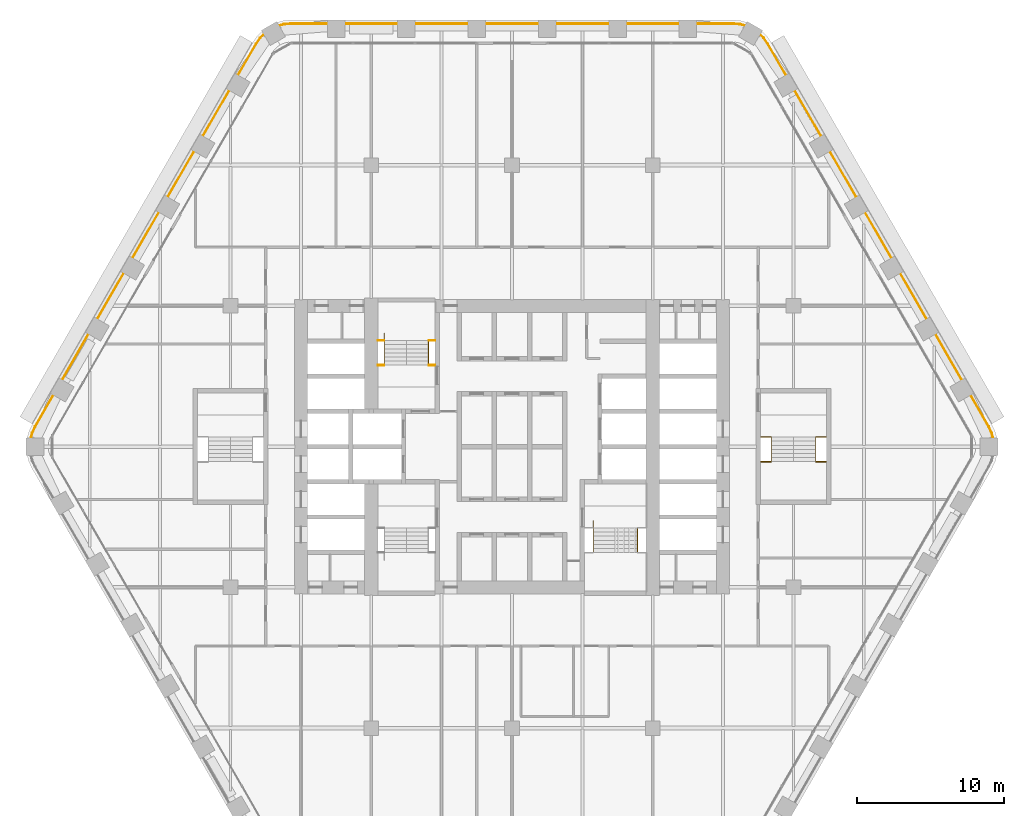
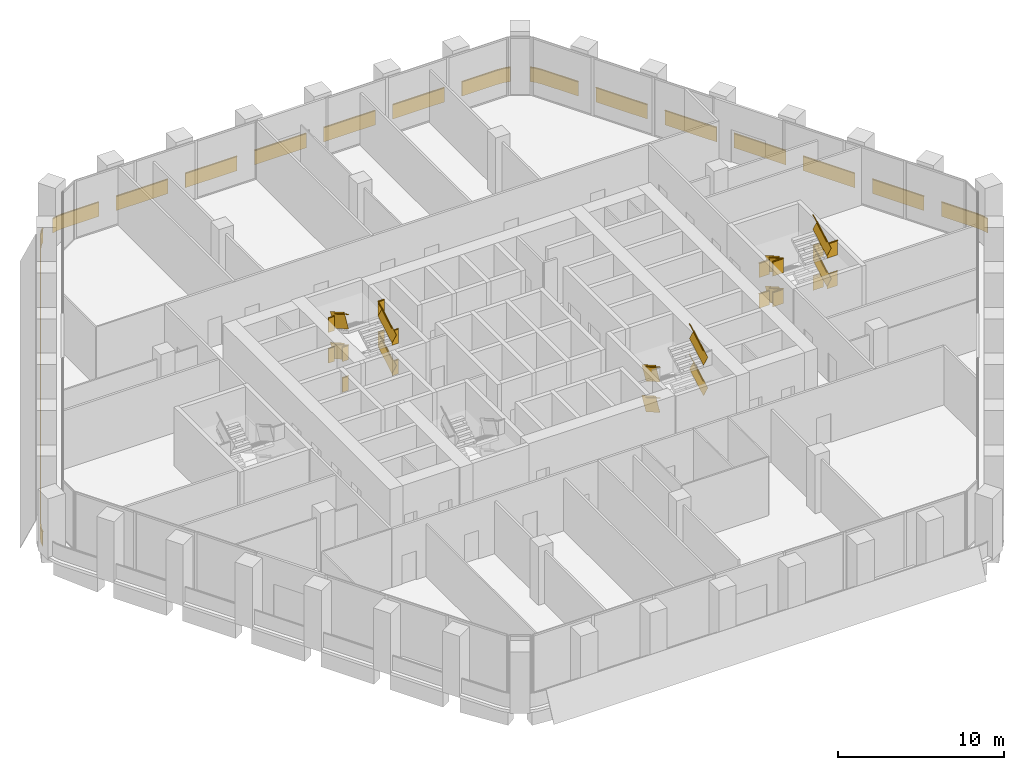
# One storey, part 23 of 23: 8 railings.
"""IFC4 building model written with IfcOpenShell, lengths in metres."""

from ifc_helpers import new_model, si_unit, direction, frame, frame_2d, origin, origin_2d, place, context, subcontext, project, spatial, rectangle, extrude, material, type_object, element, save


model = new_model("IFC4")

# Units and contexts
model_context = context("Model", 3, precision=1e-05, world=origin(), true_north=direction((0.0, 1.0)))
body_context = subcontext(model_context, "Body", "Model", "MODEL_VIEW")
ifc_project = project(units=[si_unit("LENGTHUNIT", "METRE"), si_unit("AREAUNIT", "SQUARE_METRE"), si_unit("VOLUMEUNIT", "CUBIC_METRE"), si_unit("PLANEANGLEUNIT", "RADIAN"), si_unit("MASSUNIT", "GRAM", prefix="KILO")], contexts=[model_context])

# Site, building, storey
site_placement = place(None, origin())
site = spatial("IfcSite", under=ifc_project, at=site_placement, CompositionType="ELEMENT")
building_placement = place(site_placement, origin())
building = spatial("IfcBuilding", under=site, at=building_placement, Name="Kolab Exchange Tower", CompositionType="ELEMENT")
storey_placement = place(building_placement, frame((0.0, 0.0, 100.39990234375)))
storey = spatial("IfcBuildingStorey", under=building, at=storey_placement, Name="L19", CompositionType="ELEMENT", Elevation=100.39990234375)

# Railings
ifc_material_1 = material(Name="Stainless steel 316", Category="steel")
railing_type_1 = type_object("IfcRailingType", Name="GUARD 1100", PredefinedType="GUARDRAIL", material=ifc_material_1)
railing_1_placement = place(storey_placement, frame((-9.14990234375, 5.550048828125, 0.0)))
element("IfcRailing", 1, at=railing_1_placement, inside=storey, type_object=railing_type_1, Name="Guard ST1", PredefinedType="GUARDRAIL", context=body_context, shape_type="SweptSolid", body=[
    extrude(rectangle(XDim=0.05, YDim=0.05, at=origin_2d()), frame((0.0, 0.0, 1.0751953125), z_axis=(1.0, 0.0, 0.0), x_axis=(0.0, 1.0, 0.0)), (0.0, 0.0, 1.0), 0.43994140625),
    extrude(rectangle(XDim=0.012, YDim=1.05009765625, at=frame_2d((0.0, 0.525146484375))), frame((0.0, 0.0, 0.0), z_axis=(1.0, 0.0, 0.0), x_axis=(0.0, 1.0, 0.0)), (0.0, 0.0, 1.0), 0.43994140625),
    extrude(rectangle(XDim=0.05, YDim=0.05, at=origin_2d()), frame((3.4599609375, 0.0, 1.0751953125), z_axis=(1.0, 0.0, 0.0), x_axis=(0.0, 1.0, 0.0)), (0.0, 0.0, 1.0), 0.43994140625),
    extrude(rectangle(XDim=0.012, YDim=1.05009765625, at=frame_2d((0.0, 0.525146484375))), frame((3.4599609375, 0.0, 0.0), z_axis=(1.0, 0.0, 0.0), x_axis=(0.0, 1.0, 0.0)), (0.0, 0.0, 1.0), 0.43994140625),
    extrude(rectangle(XDim=0.05, YDim=0.05, at=origin_2d()), frame((0.0, 1.679931640625, 2.2001953125), z_axis=(1.0, 0.0, 0.0), x_axis=(0.0, 1.0, 0.0)), (0.0, 0.0, 1.0), 0.43994140625),
    extrude(rectangle(XDim=0.012, YDim=1.05009765625, at=frame_2d((0.0, 0.525146484375))), frame((0.0, 1.679931640625, 1.125), z_axis=(1.0, 0.0, 0.0), x_axis=(0.0, 1.0, 0.0)), (0.0, 0.0, 1.0), 0.43994140625),
    extrude(rectangle(XDim=0.05, YDim=0.05, at=origin_2d()), frame((3.4599609375, 1.679931640625, 2.2001953125), z_axis=(1.0, 0.0, 0.0), x_axis=(0.0, 1.0, 0.0)), (0.0, 0.0, 1.0), 0.43994140625),
    extrude(rectangle(XDim=0.012, YDim=1.05009765625, at=frame_2d((0.0, 0.525146484375))), frame((3.4599609375, 1.679931640625, 1.125), z_axis=(1.0, 0.0, 0.0), x_axis=(0.0, 1.0, 0.0)), (0.0, 0.0, 1.0), 0.43994140625),
    extrude(rectangle(XDim=0.05, YDim=0.05, at=origin_2d()), frame((0.0, 0.0, 3.3251953125), z_axis=(1.0, 0.0, 0.0), x_axis=(0.0, 1.0, 0.0)), (0.0, 0.0, 1.0), 0.43994140625),
    extrude(rectangle(XDim=0.012, YDim=1.05009765625, at=frame_2d((0.0, 0.525146484375))), frame((0.0, 0.0, 2.25), z_axis=(1.0, 0.0, 0.0), x_axis=(0.0, 1.0, 0.0)), (0.0, 0.0, 1.0), 0.43994140625),
    extrude(rectangle(XDim=0.05, YDim=0.05, at=origin_2d()), frame((3.4599609375, 0.0, 3.3251953125), z_axis=(1.0, 0.0, 0.0), x_axis=(0.0, 1.0, 0.0)), (0.0, 0.0, 1.0), 0.43994140625),
    extrude(rectangle(XDim=0.012, YDim=1.05009765625, at=frame_2d((0.0, 0.525146484375))), frame((3.4599609375, 0.0, 2.25), z_axis=(1.0, 0.0, 0.0), x_axis=(0.0, 1.0, 0.0)), (0.0, 0.0, 1.0), 0.43994140625),
    extrude(rectangle(XDim=0.05, YDim=0.05, at=origin_2d()), frame((0.0, 1.679931640625, 4.4501953125), z_axis=(1.0, 0.0, 0.0), x_axis=(0.0, 1.0, 0.0)), (0.0, 0.0, 1.0), 0.43994140625),
    extrude(rectangle(XDim=0.012, YDim=1.05009765625, at=frame_2d((0.0, 0.525146484375))), frame((0.0, 1.679931640625, 3.375), z_axis=(1.0, 0.0, 0.0), x_axis=(0.0, 1.0, 0.0)), (0.0, 0.0, 1.0), 0.43994140625),
    extrude(rectangle(XDim=0.05, YDim=0.05, at=origin_2d()), frame((3.4599609375, 1.679931640625, 4.4501953125), z_axis=(1.0, 0.0, 0.0), x_axis=(0.0, 1.0, 0.0)), (0.0, 0.0, 1.0), 0.43994140625),
    extrude(rectangle(XDim=0.012, YDim=1.05009765625, at=frame_2d((0.0, 0.525146484375))), frame((3.4599609375, 1.679931640625, 3.375), z_axis=(1.0, 0.0, 0.0), x_axis=(0.0, 1.0, 0.0)), (0.0, 0.0, 1.0), 0.43994140625),
])
railing_2_placement = place(storey_placement, frame((-5.68994140625, 5.550048828125, 0.160888671875)))
element("IfcRailing", 2, at=railing_2_placement, inside=storey, type_object=railing_type_1, Name="Handrail guard ST1", PredefinedType="GUARDRAIL", context=body_context, shape_type="SweptSolid", body=[
    extrude(rectangle(XDim=0.05, YDim=0.05, at=origin_2d()), frame((0.0, 0.0, 1.0751953125), z_axis=(0.0, 0.867318599139, 0.497753400378), x_axis=(-1.0, 0.0, 0.0)), (0.0, 0.0, 1.0), 1.93701171875),
    extrude(rectangle(XDim=0.012, YDim=1.05009765625, at=frame_2d((0.0, 0.525146484375))), frame((0.0, 0.0, 0.0), z_axis=(0.0, 0.867318599139, 0.497753400378), x_axis=(-1.0, 0.0, 0.0)), (0.0, 0.0, 1.0), 1.93701171875),
    extrude(rectangle(XDim=0.05, YDim=0.05, at=origin_2d()), frame((-3.02001953125, 1.679931640625, 2.2001953125), z_axis=(0.0, -0.867318599139, 0.497753400378), x_axis=(1.0, 0.0, 0.0)), (0.0, 0.0, 1.0), 1.93701171875),
    extrude(rectangle(XDim=0.012, YDim=1.05009765625, at=frame_2d((0.0, 0.525146484375))), frame((-3.02001953125, 1.679931640625, 1.125), z_axis=(0.0, -0.867318599139, 0.497753400378), x_axis=(1.0, 0.0, 0.0)), (0.0, 0.0, 1.0), 1.93701171875),
    extrude(rectangle(XDim=0.05, YDim=0.05, at=origin_2d()), frame((0.0, 0.0, 3.3251953125), z_axis=(0.0, 0.867318599139, 0.497753400378), x_axis=(-1.0, 0.0, 0.0)), (0.0, 0.0, 1.0), 1.93701171875),
    extrude(rectangle(XDim=0.012, YDim=1.05009765625, at=frame_2d((0.0, 0.525146484375))), frame((0.0, 0.0, 2.25), z_axis=(0.0, 0.867318599139, 0.497753400378), x_axis=(-1.0, 0.0, 0.0)), (0.0, 0.0, 1.0), 1.93701171875),
    extrude(rectangle(XDim=0.05, YDim=0.05, at=origin_2d()), frame((-3.02001953125, 1.679931640625, 4.4501953125), z_axis=(0.0, -0.867318599139, 0.497753400378), x_axis=(1.0, 0.0, 0.0)), (0.0, 0.0, 1.0), 1.93701171875),
    extrude(rectangle(XDim=0.012, YDim=1.05009765625, at=frame_2d((0.0, 0.525146484375))), frame((-3.02001953125, 1.679931640625, 3.375), z_axis=(0.0, -0.867318599139, 0.497753400378), x_axis=(1.0, 0.0, 0.0)), (0.0, 0.0, 1.0), 1.93701171875),
])
railing_3_placement = place(storey_placement, frame((5.5400390625, -5.550048828125, 0.160888671875)))
element("IfcRailing", 3, at=railing_3_placement, inside=storey, type_object=railing_type_1, Name="Handrail guard ST2", PredefinedType="GUARDRAIL", context=body_context, shape_type="SweptSolid", body=[
    extrude(rectangle(XDim=0.05, YDim=0.05, at=origin_2d()), frame((0.0, 0.0, 1.0751953125), z_axis=(0.0, -0.867318599139, 0.497753400378), x_axis=(1.0, 0.0, 0.0)), (0.0, 0.0, 1.0), 1.93701171875),
    extrude(rectangle(XDim=0.012, YDim=1.05009765625, at=frame_2d((0.0, 0.525146484375))), frame((0.0, 0.0, 0.0), z_axis=(0.0, -0.867318599139, 0.497753400378), x_axis=(1.0, 0.0, 0.0)), (0.0, 0.0, 1.0), 1.93701171875),
    extrude(rectangle(XDim=0.05, YDim=0.05, at=origin_2d()), frame((3.02001953125, -1.679931640625, 2.2001953125), z_axis=(0.0, 0.867318599139, 0.497753400378), x_axis=(-1.0, 0.0, 0.0)), (0.0, 0.0, 1.0), 1.93701171875),
    extrude(rectangle(XDim=0.012, YDim=1.05009765625, at=frame_2d((0.0, 0.525146484375))), frame((3.02001953125, -1.679931640625, 1.125), z_axis=(0.0, 0.867318599139, 0.497753400378), x_axis=(-1.0, 0.0, 0.0)), (0.0, 0.0, 1.0), 1.93701171875),
    extrude(rectangle(XDim=0.05, YDim=0.05, at=origin_2d()), frame((0.0, 0.0, 3.3251953125), z_axis=(0.0, -0.867318599139, 0.497753400378), x_axis=(1.0, 0.0, 0.0)), (0.0, 0.0, 1.0), 1.93701171875),
    extrude(rectangle(XDim=0.012, YDim=1.05009765625, at=frame_2d((0.0, 0.525146484375))), frame((0.0, 0.0, 2.25), z_axis=(0.0, -0.867318599139, 0.497753400378), x_axis=(1.0, 0.0, 0.0)), (0.0, 0.0, 1.0), 1.93701171875),
    extrude(rectangle(XDim=0.05, YDim=0.05, at=origin_2d()), frame((3.02001953125, -1.679931640625, 4.4501953125), z_axis=(0.0, 0.867318599139, 0.497753400378), x_axis=(-1.0, 0.0, 0.0)), (0.0, 0.0, 1.0), 1.93701171875),
    extrude(rectangle(XDim=0.012, YDim=1.05009765625, at=frame_2d((0.0, 0.525146484375))), frame((3.02001953125, -1.679931640625, 3.375), z_axis=(0.0, 0.867318599139, 0.497753400378), x_axis=(-1.0, 0.0, 0.0)), (0.0, 0.0, 1.0), 1.93701171875),
])
railing_4_placement = place(storey_placement, frame((16.949951171875, 0.64990234375, 0.0)))
element("IfcRailing", 4, at=railing_4_placement, inside=storey, type_object=railing_type_1, Name="Guard ST4", PredefinedType="GUARDRAIL", context=body_context, shape_type="SweptSolid", body=[
    extrude(rectangle(XDim=0.05, YDim=0.05, at=origin_2d()), frame((0.0, 0.0, 1.0751953125), z_axis=(1.0, 0.0, 0.0), x_axis=(0.0, 1.0, 0.0)), (0.0, 0.0, 1.0), 0.739990234375),
    extrude(rectangle(XDim=0.012, YDim=1.05009765625, at=frame_2d((0.0, 0.525146484375))), frame((0.0, 0.0, 0.0), z_axis=(1.0, 0.0, 0.0), x_axis=(0.0, 1.0, 0.0)), (0.0, 0.0, 1.0), 0.739990234375),
    extrude(rectangle(XDim=0.05, YDim=0.05, at=origin_2d()), frame((3.760009765625, 0.0, 1.0751953125), z_axis=(1.0, 0.0, 0.0), x_axis=(0.0, 1.0, 0.0)), (0.0, 0.0, 1.0), 0.739990234375),
    extrude(rectangle(XDim=0.012, YDim=1.05009765625, at=frame_2d((0.0, 0.525146484375))), frame((3.760009765625, 0.0, 0.0), z_axis=(1.0, 0.0, 0.0), x_axis=(0.0, 1.0, 0.0)), (0.0, 0.0, 1.0), 0.739990234375),
    extrude(rectangle(XDim=0.05, YDim=0.05, at=origin_2d()), frame((0.0, -1.679931640625, 2.2001953125), z_axis=(1.0, 0.0, 0.0), x_axis=(0.0, 1.0, 0.0)), (0.0, 0.0, 1.0), 0.739990234375),
    extrude(rectangle(XDim=0.012, YDim=1.05009765625, at=frame_2d((0.0, 0.525146484375))), frame((0.0, -1.679931640625, 1.125), z_axis=(1.0, 0.0, 0.0), x_axis=(0.0, 1.0, 0.0)), (0.0, 0.0, 1.0), 0.739990234375),
    extrude(rectangle(XDim=0.05, YDim=0.05, at=origin_2d()), frame((3.760009765625, -1.679931640625, 2.2001953125), z_axis=(1.0, 0.0, 0.0), x_axis=(0.0, 1.0, 0.0)), (0.0, 0.0, 1.0), 0.739990234375),
    extrude(rectangle(XDim=0.012, YDim=1.05009765625, at=frame_2d((0.0, 0.525146484375))), frame((3.760009765625, -1.679931640625, 1.125), z_axis=(1.0, 0.0, 0.0), x_axis=(0.0, 1.0, 0.0)), (0.0, 0.0, 1.0), 0.739990234375),
    extrude(rectangle(XDim=0.05, YDim=0.05, at=origin_2d()), frame((0.0, 0.0, 3.3251953125), z_axis=(1.0, 0.0, 0.0), x_axis=(0.0, 1.0, 0.0)), (0.0, 0.0, 1.0), 0.739990234375),
    extrude(rectangle(XDim=0.012, YDim=1.05009765625, at=frame_2d((0.0, 0.525146484375))), frame((0.0, 0.0, 2.25), z_axis=(1.0, 0.0, 0.0), x_axis=(0.0, 1.0, 0.0)), (0.0, 0.0, 1.0), 0.739990234375),
    extrude(rectangle(XDim=0.05, YDim=0.05, at=origin_2d()), frame((3.760009765625, 0.0, 3.3251953125), z_axis=(1.0, 0.0, 0.0), x_axis=(0.0, 1.0, 0.0)), (0.0, 0.0, 1.0), 0.739990234375),
    extrude(rectangle(XDim=0.012, YDim=1.05009765625, at=frame_2d((0.0, 0.525146484375))), frame((3.760009765625, 0.0, 2.25), z_axis=(1.0, 0.0, 0.0), x_axis=(0.0, 1.0, 0.0)), (0.0, 0.0, 1.0), 0.739990234375),
    extrude(rectangle(XDim=0.05, YDim=0.05, at=origin_2d()), frame((0.0, -1.679931640625, 4.4501953125), z_axis=(1.0, 0.0, 0.0), x_axis=(0.0, 1.0, 0.0)), (0.0, 0.0, 1.0), 0.739990234375),
    extrude(rectangle(XDim=0.012, YDim=1.05009765625, at=frame_2d((0.0, 0.525146484375))), frame((0.0, -1.679931640625, 3.375), z_axis=(1.0, 0.0, 0.0), x_axis=(0.0, 1.0, 0.0)), (0.0, 0.0, 1.0), 0.739990234375),
    extrude(rectangle(XDim=0.05, YDim=0.05, at=origin_2d()), frame((3.760009765625, -1.679931640625, 4.4501953125), z_axis=(1.0, 0.0, 0.0), x_axis=(0.0, 1.0, 0.0)), (0.0, 0.0, 1.0), 0.739990234375),
    extrude(rectangle(XDim=0.012, YDim=1.05009765625, at=frame_2d((0.0, 0.525146484375))), frame((3.760009765625, -1.679931640625, 3.375), z_axis=(1.0, 0.0, 0.0), x_axis=(0.0, 1.0, 0.0)), (0.0, 0.0, 1.0), 0.739990234375),
])
railing_5_placement = place(storey_placement, frame((17.68994140625, 0.64990234375, 0.160888671875)))
element("IfcRailing", 5, at=railing_5_placement, inside=storey, type_object=railing_type_1, Name="Handrail guard ST4", PredefinedType="GUARDRAIL", context=body_context, shape_type="SweptSolid", body=[
    extrude(rectangle(XDim=0.05, YDim=0.05, at=origin_2d()), frame((0.0, 0.0, 1.0751953125), z_axis=(0.0, -0.867318599139, 0.497753400378), x_axis=(1.0, 0.0, 0.0)), (0.0, 0.0, 1.0), 1.93701171875),
    extrude(rectangle(XDim=0.012, YDim=1.05009765625, at=frame_2d((0.0, 0.525146484375))), frame((0.0, 0.0, 0.0), z_axis=(0.0, -0.867318599139, 0.497753400378), x_axis=(1.0, 0.0, 0.0)), (0.0, 0.0, 1.0), 1.93701171875),
    extrude(rectangle(XDim=0.05, YDim=0.05, at=origin_2d()), frame((3.02001953125, -1.679931640625, 2.2001953125), z_axis=(0.0, 0.867318599139, 0.497753400378), x_axis=(-1.0, 0.0, 0.0)), (0.0, 0.0, 1.0), 1.93701171875),
    extrude(rectangle(XDim=0.012, YDim=1.05009765625, at=frame_2d((0.0, 0.525146484375))), frame((3.02001953125, -1.679931640625, 1.125), z_axis=(0.0, 0.867318599139, 0.497753400378), x_axis=(-1.0, 0.0, 0.0)), (0.0, 0.0, 1.0), 1.93701171875),
    extrude(rectangle(XDim=0.05, YDim=0.05, at=origin_2d()), frame((0.0, 0.0, 3.3251953125), z_axis=(0.0, -0.867318599139, 0.497753400378), x_axis=(1.0, 0.0, 0.0)), (0.0, 0.0, 1.0), 1.93701171875),
    extrude(rectangle(XDim=0.012, YDim=1.05009765625, at=frame_2d((0.0, 0.525146484375))), frame((0.0, 0.0, 2.25), z_axis=(0.0, -0.867318599139, 0.497753400378), x_axis=(1.0, 0.0, 0.0)), (0.0, 0.0, 1.0), 1.93701171875),
    extrude(rectangle(XDim=0.05, YDim=0.05, at=origin_2d()), frame((3.02001953125, -1.679931640625, 4.4501953125), z_axis=(0.0, 0.867318599139, 0.497753400378), x_axis=(-1.0, 0.0, 0.0)), (0.0, 0.0, 1.0), 1.93701171875),
    extrude(rectangle(XDim=0.012, YDim=1.05009765625, at=frame_2d((0.0, 0.525146484375))), frame((3.02001953125, -1.679931640625, 3.375), z_axis=(0.0, 0.867318599139, 0.497753400378), x_axis=(-1.0, 0.0, 0.0)), (0.0, 0.0, 1.0), 1.93701171875),
])
ifc_material_2 = material(Name="Steel S235", Category="steel")
railing_type_2 = type_object("IfcRailingType", Name="GUARD 1100 GLASS BALUSTRADE AND STEEL TOP RAIL", PredefinedType="GUARDRAIL", material=ifc_material_2)
railing_6_placement = place(storey_placement, frame((15.89208984375, 28.7138671875, 0.0)))
element("IfcRailing", 6, at=railing_6_placement, inside=storey, type_object=railing_type_2, Name="Guard", PredefinedType="GUARDRAIL", context=body_context, shape_type="SweptSolid", body=[
    extrude(rectangle(XDim=0.05, YDim=0.05, at=origin_2d()), frame((0.0, 0.0, 1.0751953125), z_axis=(-0.966008746817, 0.258509382951, 0.0), x_axis=(-0.258509382951, -0.966008746817, 0.0)), (0.0, 0.0, 1.0), 0.35888671875),
    extrude(rectangle(XDim=0.012, YDim=1.05009765625, at=frame_2d((0.0, 0.525146484375))), frame((0.0, 0.0, 0.0), z_axis=(-0.966008746817, 0.258509382951, 0.0), x_axis=(-0.258509382951, -0.966008746817, 0.0)), (0.0, 0.0, 1.0), 0.35888671875),
    extrude(rectangle(XDim=0.05, YDim=0.05, at=origin_2d()), frame((-0.3466796875, 0.0927734375, 1.0751953125), z_axis=(-0.996200348447, 0.087091134757, 0.0), x_axis=(-0.087091134757, -0.996200348447, 0.0)), (0.0, 0.0, 1.0), 0.479248046875),
    extrude(rectangle(XDim=0.012, YDim=1.05009765625, at=frame_2d((0.0, 0.525146484375))), frame((-0.3466796875, 0.0927734375, 0.0), z_axis=(-0.996200348447, 0.087091134757, 0.0), x_axis=(-0.087091134757, -0.996200348447, 0.0)), (0.0, 0.0, 1.0), 0.479248046875),
    extrude(rectangle(XDim=0.05, YDim=0.05, at=origin_2d()), frame((-0.82421875, 0.134521484375, 1.0751953125), z_axis=(-1.0, 0.0, 0.0), x_axis=(0.0, -1.0, 0.0)), (0.0, 0.0, 1.0), 2.4677734375),
    extrude(rectangle(XDim=0.012, YDim=1.05009765625, at=frame_2d((0.0, 0.525146484375))), frame((-0.82421875, 0.134521484375, 0.0), z_axis=(-1.0, 0.0, 0.0), x_axis=(0.0, -1.0, 0.0)), (0.0, 0.0, 1.0), 2.4677734375),
    extrude(rectangle(XDim=0.05, YDim=0.05, at=origin_2d()), frame((-4.4921875, 0.134521484375, 1.0751953125), z_axis=(-1.0, 0.0, 0.0), x_axis=(0.0, -1.0, 0.0)), (0.0, 0.0, 1.0), 3.599853515625),
    extrude(rectangle(XDim=0.012, YDim=1.05009765625, at=frame_2d((0.0, 0.525146484375))), frame((-4.4921875, 0.134521484375, 0.0), z_axis=(-1.0, 0.0, 0.0), x_axis=(0.0, -1.0, 0.0)), (0.0, 0.0, 1.0), 3.599853515625),
    extrude(rectangle(XDim=0.05, YDim=0.05, at=origin_2d()), frame((-9.2919921875, 0.134521484375, 1.0751953125), z_axis=(-1.0, 0.0, 0.0), x_axis=(0.0, -1.0, 0.0)), (0.0, 0.0, 1.0), 3.60009765625),
    extrude(rectangle(XDim=0.012, YDim=1.05009765625, at=frame_2d((0.0, 0.525146484375))), frame((-9.2919921875, 0.134521484375, 0.0), z_axis=(-1.0, 0.0, 0.0), x_axis=(0.0, -1.0, 0.0)), (0.0, 0.0, 1.0), 3.60009765625),
    extrude(rectangle(XDim=0.05, YDim=0.05, at=origin_2d()), frame((-14.092041015625, 0.134521484375, 1.0751953125), z_axis=(-1.0, 0.0, 0.0), x_axis=(0.0, -1.0, 0.0)), (0.0, 0.0, 1.0), 3.60009765625),
    extrude(rectangle(XDim=0.012, YDim=1.05009765625, at=frame_2d((0.0, 0.525146484375))), frame((-14.092041015625, 0.134521484375, 0.0), z_axis=(-1.0, 0.0, 0.0), x_axis=(0.0, -1.0, 0.0)), (0.0, 0.0, 1.0), 3.60009765625),
    extrude(rectangle(XDim=0.05, YDim=0.05, at=origin_2d()), frame((-18.89208984375, 0.134521484375, 1.0751953125), z_axis=(-1.0, 0.0, 0.0), x_axis=(0.0, -1.0, 0.0)), (0.0, 0.0, 1.0), 3.60009765625),
    extrude(rectangle(XDim=0.012, YDim=1.05009765625, at=frame_2d((0.0, 0.525146484375))), frame((-18.89208984375, 0.134521484375, 0.0), z_axis=(-1.0, 0.0, 0.0), x_axis=(0.0, -1.0, 0.0)), (0.0, 0.0, 1.0), 3.60009765625),
    extrude(rectangle(XDim=0.05, YDim=0.05, at=origin_2d()), frame((-23.692138671875, 0.134521484375, 1.0751953125), z_axis=(-1.0, 0.0, 0.0), x_axis=(0.0, -1.0, 0.0)), (0.0, 0.0, 1.0), 3.599853515625),
    extrude(rectangle(XDim=0.012, YDim=1.05009765625, at=frame_2d((0.0, 0.525146484375))), frame((-23.692138671875, 0.134521484375, 0.0), z_axis=(-1.0, 0.0, 0.0), x_axis=(0.0, -1.0, 0.0)), (0.0, 0.0, 1.0), 3.599853515625),
    extrude(rectangle(XDim=0.05, YDim=0.05, at=origin_2d()), frame((-28.4921875, 0.134521484375, 1.0751953125), z_axis=(-1.0, 0.0, 0.0), x_axis=(0.0, -1.0, 0.0)), (0.0, 0.0, 1.0), 2.4677734375),
    extrude(rectangle(XDim=0.012, YDim=1.05009765625, at=frame_2d((0.0, 0.525146484375))), frame((-28.4921875, 0.134521484375, 0.0), z_axis=(-1.0, 0.0, 0.0), x_axis=(0.0, -1.0, 0.0)), (0.0, 0.0, 1.0), 2.4677734375),
    extrude(rectangle(XDim=0.05, YDim=0.05, at=origin_2d()), frame((-30.9599609375, 0.134521484375, 1.0751953125), z_axis=(-0.996200348447, -0.087091134757, 0.0), x_axis=(0.087091134757, -0.996200348447, 0.0)), (0.0, 0.0, 1.0), 0.479248046875),
    extrude(rectangle(XDim=0.012, YDim=1.05009765625, at=frame_2d((0.0, 0.525146484375))), frame((-30.9599609375, 0.134521484375, 0.0), z_axis=(-0.996200348447, -0.087091134757, 0.0), x_axis=(0.087091134757, -0.996200348447, 0.0)), (0.0, 0.0, 1.0), 0.479248046875),
    extrude(rectangle(XDim=0.05, YDim=0.05, at=origin_2d()), frame((-31.4375, 0.0927734375, 1.0751953125), z_axis=(-0.966008746817, -0.258509382951, 0.0), x_axis=(0.258509382951, -0.966008746817, 0.0)), (0.0, 0.0, 1.0), 0.35888671875),
    extrude(rectangle(XDim=0.012, YDim=1.05009765625, at=frame_2d((0.0, 0.525146484375))), frame((-31.4375, 0.0927734375, 0.0), z_axis=(-0.966008746817, -0.258509382951, 0.0), x_axis=(0.258509382951, -0.966008746817, 0.0)), (0.0, 0.0, 1.0), 0.35888671875),
])
railing_7_placement = place(storey_placement, frame((32.81298828125, 0.593994140625, 0.0)))
element("IfcRailing", 7, at=railing_7_placement, inside=storey, type_object=railing_type_2, Name="Guard", PredefinedType="GUARDRAIL", context=body_context, shape_type="SweptSolid", body=[
    extrude(rectangle(XDim=0.05, YDim=0.05, at=origin_2d()), frame((0.0, 0.0, 1.0751953125), z_axis=(-0.259144041577, 0.965838685141, 0.0), x_axis=(-0.965838685141, -0.259144041577, 0.0)), (0.0, 0.0, 1.0), 0.35888671875),
    extrude(rectangle(XDim=0.012, YDim=1.05009765625, at=frame_2d((0.0, 0.525146484375))), frame((0.0, 0.0, 0.0), z_axis=(-0.259144041577, 0.965838685141, 0.0), x_axis=(-0.965838685141, -0.259144041577, 0.0)), (0.0, 0.0, 1.0), 0.35888671875),
    extrude(rectangle(XDim=0.05, YDim=0.05, at=origin_2d()), frame((-0.093017578125, 0.3466796875, 1.0751953125), z_axis=(-0.422383329074, 0.906417300872, 0.0), x_axis=(-0.906417300872, -0.422383329074, 0.0)), (0.0, 0.0, 1.0), 0.479248046875),
    extrude(rectangle(XDim=0.012, YDim=1.05009765625, at=frame_2d((0.0, 0.525146484375))), frame((-0.093017578125, 0.3466796875, 0.0), z_axis=(-0.422383329074, 0.906417300872, 0.0), x_axis=(-0.906417300872, -0.422383329074, 0.0)), (0.0, 0.0, 1.0), 0.479248046875),
    extrude(rectangle(XDim=0.05, YDim=0.05, at=origin_2d()), frame((-0.29541015625, 0.781005859375, 1.0751953125), z_axis=(-0.500064973171, 0.865987888257, 0.0), x_axis=(-0.865987888257, -0.500064973171, 0.0)), (0.0, 0.0, 1.0), 2.468017578125),
    extrude(rectangle(XDim=0.012, YDim=1.05009765625, at=frame_2d((0.0, 0.525146484375))), frame((-0.29541015625, 0.781005859375, 0.0), z_axis=(-0.500064973171, 0.865987888257, 0.0), x_axis=(-0.865987888257, -0.500064973171, 0.0)), (0.0, 0.0, 1.0), 2.468017578125),
    extrude(rectangle(XDim=0.05, YDim=0.05, at=origin_2d()), frame((-2.12939453125, 3.95751953125, 1.0751953125), z_axis=(-0.500012057535, 0.866018442252, 0.0), x_axis=(-0.866018442252, -0.500012057535, 0.0)), (0.0, 0.0, 1.0), 3.60009765625),
    extrude(rectangle(XDim=0.012, YDim=1.05009765625, at=frame_2d((0.0, 0.525146484375))), frame((-2.12939453125, 3.95751953125, 0.0), z_axis=(-0.500012057535, 0.866018442252, 0.0), x_axis=(-0.866018442252, -0.500012057535, 0.0)), (0.0, 0.0, 1.0), 3.60009765625),
    extrude(rectangle(XDim=0.05, YDim=0.05, at=origin_2d()), frame((-4.529541015625, 8.114501953125, 1.0751953125), z_axis=(-0.500012057535, 0.866018442252, 0.0), x_axis=(-0.866018442252, -0.500012057535, 0.0)), (0.0, 0.0, 1.0), 3.60009765625),
    extrude(rectangle(XDim=0.012, YDim=1.05009765625, at=frame_2d((0.0, 0.525146484375))), frame((-4.529541015625, 8.114501953125, 0.0), z_axis=(-0.500012057535, 0.866018442252, 0.0), x_axis=(-0.866018442252, -0.500012057535, 0.0)), (0.0, 0.0, 1.0), 3.60009765625),
    extrude(rectangle(XDim=0.05, YDim=0.05, at=origin_2d()), frame((-6.929443359375, 12.271484375, 1.0751953125), z_axis=(-0.500012057535, 0.866018442252, 0.0), x_axis=(-0.866018442252, -0.500012057535, 0.0)), (0.0, 0.0, 1.0), 3.60009765625),
    extrude(rectangle(XDim=0.012, YDim=1.05009765625, at=frame_2d((0.0, 0.525146484375))), frame((-6.929443359375, 12.271484375, 0.0), z_axis=(-0.500012057535, 0.866018442252, 0.0), x_axis=(-0.866018442252, -0.500012057535, 0.0)), (0.0, 0.0, 1.0), 3.60009765625),
    extrude(rectangle(XDim=0.05, YDim=0.05, at=origin_2d()), frame((-9.32958984375, 16.42822265625, 1.0751953125), z_axis=(-0.499961193289, 0.866047807691, 0.0), x_axis=(-0.866047807691, -0.499961193289, 0.0)), (0.0, 0.0, 1.0), 3.599853515625),
    extrude(rectangle(XDim=0.012, YDim=1.05009765625, at=frame_2d((0.0, 0.525146484375))), frame((-9.32958984375, 16.42822265625, 0.0), z_axis=(-0.499961193289, 0.866047807691, 0.0), x_axis=(-0.866047807691, -0.499961193289, 0.0)), (0.0, 0.0, 1.0), 3.599853515625),
    extrude(rectangle(XDim=0.05, YDim=0.05, at=origin_2d()), frame((-11.7294921875, 20.585205078125, 1.0751953125), z_axis=(-0.500012057535, 0.866018442252, 0.0), x_axis=(-0.866018442252, -0.500012057535, 0.0)), (0.0, 0.0, 1.0), 3.60009765625),
    extrude(rectangle(XDim=0.012, YDim=1.05009765625, at=frame_2d((0.0, 0.525146484375))), frame((-11.7294921875, 20.585205078125, 0.0), z_axis=(-0.500012057535, 0.866018442252, 0.0), x_axis=(-0.866018442252, -0.500012057535, 0.0)), (0.0, 0.0, 1.0), 3.60009765625),
    extrude(rectangle(XDim=0.05, YDim=0.05, at=origin_2d()), frame((-14.12939453125, 24.7421875, 1.0751953125), z_axis=(-0.500064973171, 0.865987888257, 0.0), x_axis=(-0.865987888257, -0.500064973171, 0.0)), (0.0, 0.0, 1.0), 2.468017578125),
    extrude(rectangle(XDim=0.012, YDim=1.05009765625, at=frame_2d((0.0, 0.525146484375))), frame((-14.12939453125, 24.7421875, 0.0), z_axis=(-0.500064973171, 0.865987888257, 0.0), x_axis=(-0.865987888257, -0.500064973171, 0.0)), (0.0, 0.0, 1.0), 2.468017578125),
    extrude(rectangle(XDim=0.05, YDim=0.05, at=origin_2d()), frame((-15.363525390625, 26.87939453125, 1.0751953125), z_axis=(-0.573359816273, 0.819303680624, 0.0), x_axis=(-0.819303680624, -0.573359816273, 0.0)), (0.0, 0.0, 1.0), 0.4794921875),
    extrude(rectangle(XDim=0.012, YDim=1.05009765625, at=frame_2d((0.0, 0.525146484375))), frame((-15.363525390625, 26.87939453125, 0.0), z_axis=(-0.573359816273, 0.819303680624, 0.0), x_axis=(-0.819303680624, -0.573359816273, 0.0)), (0.0, 0.0, 1.0), 0.4794921875),
    extrude(rectangle(XDim=0.05, YDim=0.05, at=origin_2d()), frame((-15.638427734375, 27.272216796875, 1.0751953125), z_axis=(-0.707106781187, 0.707106781187, 0.0), x_axis=(-0.707106781187, -0.707106781187, 0.0)), (0.0, 0.0, 1.0), 0.358642578125),
    extrude(rectangle(XDim=0.012, YDim=1.05009765625, at=frame_2d((0.0, 0.525146484375))), frame((-15.638427734375, 27.272216796875, 0.0), z_axis=(-0.707106781187, 0.707106781187, 0.0), x_axis=(-0.707106781187, -0.707106781187, 0.0)), (0.0, 0.0, 1.0), 0.358642578125),
])
railing_8_placement = place(storey_placement, frame((-16.9208984375, 28.119873046875, 0.0)))
element("IfcRailing", 8, at=railing_8_placement, inside=storey, type_object=railing_type_2, Name="Guard", PredefinedType="GUARDRAIL", context=body_context, shape_type="SweptSolid", body=[
    extrude(rectangle(XDim=0.05, YDim=0.05, at=origin_2d()), frame((0.0, 0.0, 1.0751953125), z_axis=(-0.707106781187, -0.707106781187, 0.0), x_axis=(0.707106781187, -0.707106781187, 0.0)), (0.0, 0.0, 1.0), 0.358642578125),
    extrude(rectangle(XDim=0.012, YDim=1.05009765625, at=frame_2d((0.0, 0.525146484375))), frame((0.0, 0.0, 0.0), z_axis=(-0.707106781187, -0.707106781187, 0.0), x_axis=(0.707106781187, -0.707106781187, 0.0)), (0.0, 0.0, 1.0), 0.358642578125),
    extrude(rectangle(XDim=0.05, YDim=0.05, at=origin_2d()), frame((-0.253662109375, -0.253662109375, 1.0751953125), z_axis=(-0.573359816273, -0.819303680624, 0.0), x_axis=(0.819303680624, -0.573359816273, 0.0)), (0.0, 0.0, 1.0), 0.4794921875),
    extrude(rectangle(XDim=0.012, YDim=1.05009765625, at=frame_2d((0.0, 0.525146484375))), frame((-0.253662109375, -0.253662109375, 0.0), z_axis=(-0.573359816273, -0.819303680624, 0.0), x_axis=(0.819303680624, -0.573359816273, 0.0)), (0.0, 0.0, 1.0), 0.4794921875),
    extrude(rectangle(XDim=0.05, YDim=0.05, at=origin_2d()), frame((-0.528564453125, -0.646484375, 1.0751953125), z_axis=(-0.500064973171, -0.865987888257, 0.0), x_axis=(0.865987888257, -0.500064973171, 0.0)), (0.0, 0.0, 1.0), 2.468017578125),
    extrude(rectangle(XDim=0.012, YDim=1.05009765625, at=frame_2d((0.0, 0.525146484375))), frame((-0.528564453125, -0.646484375, 0.0), z_axis=(-0.500064973171, -0.865987888257, 0.0), x_axis=(0.865987888257, -0.500064973171, 0.0)), (0.0, 0.0, 1.0), 2.468017578125),
    extrude(rectangle(XDim=0.05, YDim=0.05, at=origin_2d()), frame((-2.362548828125, -3.822998046875, 1.0751953125), z_axis=(-0.500012057535, -0.866018442252, 0.0), x_axis=(0.866018442252, -0.500012057535, 0.0)), (0.0, 0.0, 1.0), 3.60009765625),
    extrude(rectangle(XDim=0.012, YDim=1.05009765625, at=frame_2d((0.0, 0.525146484375))), frame((-2.362548828125, -3.822998046875, 0.0), z_axis=(-0.500012057535, -0.866018442252, 0.0), x_axis=(0.866018442252, -0.500012057535, 0.0)), (0.0, 0.0, 1.0), 3.60009765625),
    extrude(rectangle(XDim=0.05, YDim=0.05, at=origin_2d()), frame((-4.7626953125, -7.97998046875, 1.0751953125), z_axis=(-0.499961193289, -0.866047807691, 0.0), x_axis=(0.866047807691, -0.499961193289, 0.0)), (0.0, 0.0, 1.0), 3.599853515625),
    extrude(rectangle(XDim=0.012, YDim=1.05009765625, at=frame_2d((0.0, 0.525146484375))), frame((-4.7626953125, -7.97998046875, 0.0), z_axis=(-0.499961193289, -0.866047807691, 0.0), x_axis=(0.866047807691, -0.499961193289, 0.0)), (0.0, 0.0, 1.0), 3.599853515625),
    extrude(rectangle(XDim=0.05, YDim=0.05, at=origin_2d()), frame((-7.16259765625, -12.13671875, 1.0751953125), z_axis=(-0.500012057535, -0.866018442252, 0.0), x_axis=(0.866018442252, -0.500012057535, 0.0)), (0.0, 0.0, 1.0), 3.60009765625),
    extrude(rectangle(XDim=0.012, YDim=1.05009765625, at=frame_2d((0.0, 0.525146484375))), frame((-7.16259765625, -12.13671875, 0.0), z_axis=(-0.500012057535, -0.866018442252, 0.0), x_axis=(0.866018442252, -0.500012057535, 0.0)), (0.0, 0.0, 1.0), 3.60009765625),
    extrude(rectangle(XDim=0.05, YDim=0.05, at=origin_2d()), frame((-9.5625, -16.293701171875, 1.0751953125), z_axis=(-0.500012057535, -0.866018442252, 0.0), x_axis=(0.866018442252, -0.500012057535, 0.0)), (0.0, 0.0, 1.0), 3.60009765625),
    extrude(rectangle(XDim=0.012, YDim=1.05009765625, at=frame_2d((0.0, 0.525146484375))), frame((-9.5625, -16.293701171875, 0.0), z_axis=(-0.500012057535, -0.866018442252, 0.0), x_axis=(0.866018442252, -0.500012057535, 0.0)), (0.0, 0.0, 1.0), 3.60009765625),
    extrude(rectangle(XDim=0.05, YDim=0.05, at=origin_2d()), frame((-11.962646484375, -20.45068359375, 1.0751953125), z_axis=(-0.500012057535, -0.866018442252, 0.0), x_axis=(0.866018442252, -0.500012057535, 0.0)), (0.0, 0.0, 1.0), 3.60009765625),
    extrude(rectangle(XDim=0.012, YDim=1.05009765625, at=frame_2d((0.0, 0.525146484375))), frame((-11.962646484375, -20.45068359375, 0.0), z_axis=(-0.500012057535, -0.866018442252, 0.0), x_axis=(0.866018442252, -0.500012057535, 0.0)), (0.0, 0.0, 1.0), 3.60009765625),
    extrude(rectangle(XDim=0.05, YDim=0.05, at=origin_2d()), frame((-14.362548828125, -24.607666015625, 1.0751953125), z_axis=(-0.500064973171, -0.865987888257, 0.0), x_axis=(0.865987888257, -0.500064973171, 0.0)), (0.0, 0.0, 1.0), 2.468017578125),
    extrude(rectangle(XDim=0.012, YDim=1.05009765625, at=frame_2d((0.0, 0.525146484375))), frame((-14.362548828125, -24.607666015625, 0.0), z_axis=(-0.500064973171, -0.865987888257, 0.0), x_axis=(0.865987888257, -0.500064973171, 0.0)), (0.0, 0.0, 1.0), 2.468017578125),
    extrude(rectangle(XDim=0.05, YDim=0.05, at=origin_2d()), frame((-15.5966796875, -26.744873046875, 1.0751953125), z_axis=(-0.422383329074, -0.906417300872, 0.0), x_axis=(0.906417300872, -0.422383329074, 0.0)), (0.0, 0.0, 1.0), 0.479248046875),
    extrude(rectangle(XDim=0.012, YDim=1.05009765625, at=frame_2d((0.0, 0.525146484375))), frame((-15.5966796875, -26.744873046875, 0.0), z_axis=(-0.422383329074, -0.906417300872, 0.0), x_axis=(0.906417300872, -0.422383329074, 0.0)), (0.0, 0.0, 1.0), 0.479248046875),
    extrude(rectangle(XDim=0.05, YDim=0.05, at=origin_2d()), frame((-15.799072265625, -27.17919921875, 1.0751953125), z_axis=(-0.259144041577, -0.965838685141, 0.0), x_axis=(0.965838685141, -0.259144041577, 0.0)), (0.0, 0.0, 1.0), 0.35888671875),
    extrude(rectangle(XDim=0.012, YDim=1.05009765625, at=frame_2d((0.0, 0.525146484375))), frame((-15.799072265625, -27.17919921875, 0.0), z_axis=(-0.259144041577, -0.965838685141, 0.0), x_axis=(0.965838685141, -0.259144041577, 0.0)), (0.0, 0.0, 1.0), 0.35888671875),
])

save(model, "model.ifc")
